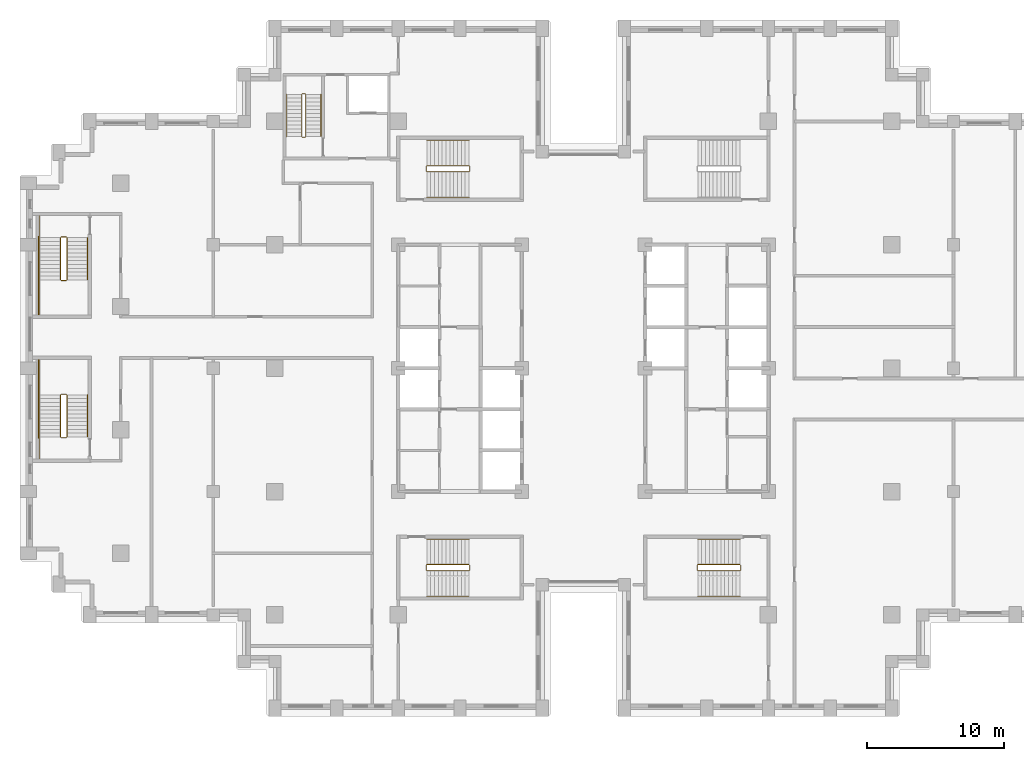
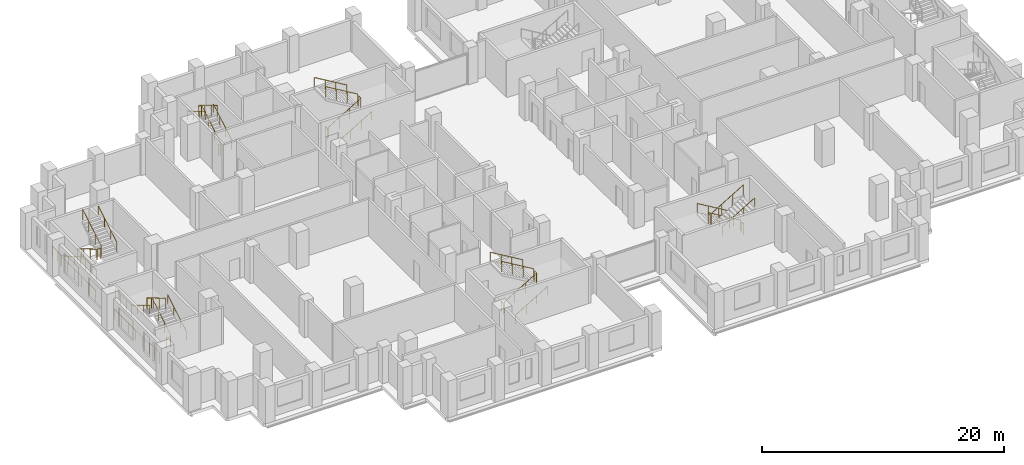
# One storey, part 14 of 15: 6 railings.
"""IFC4 building model written with IfcOpenShell, lengths in metres."""

from ifc_helpers import new_model, si_unit, direction, frame, origin, origin_2d, place, context, subcontext, project, spatial, circle, extrude, material, type_object, element, save


model = new_model("IFC4")

# Units and contexts
model_context = context("Model", 3, precision=1e-05, world=origin(), true_north=direction((0.0, 1.0)))
body_context = subcontext(model_context, "Body", "Model", "MODEL_VIEW")
ifc_project = project(units=[si_unit("LENGTHUNIT", "METRE"), si_unit("AREAUNIT", "SQUARE_METRE"), si_unit("VOLUMEUNIT", "CUBIC_METRE"), si_unit("PLANEANGLEUNIT", "RADIAN"), si_unit("MASSUNIT", "GRAM", prefix="KILO")], contexts=[model_context])

# Site, building, storey
site_placement = place(None, origin())
site = spatial("IfcSite", under=ifc_project, at=site_placement, CompositionType="ELEMENT")
building_placement = place(site_placement, origin())
building = spatial("IfcBuilding", under=site, at=building_placement, Name="Corbelhall Arena Tower", CompositionType="ELEMENT")
storey_placement = place(building_placement, frame((0.0, 0.0, 88.0)))
storey = spatial("IfcBuildingStorey", under=building, at=storey_placement, Name="L14", CompositionType="ELEMENT", Elevation=88.0)

# Railings
ifc_material = material(Name="Steel ASTM A500 Gr C", Category="steel")
railing_type = type_object("IfcRailingType", Name="IN-GD-1100", PredefinedType="GUARDRAIL", material=ifc_material)
railing_1_placement = place(storey_placement, frame((-11.425048828125, 14.324951171875, 0.166748046875)))
element("IfcRailing", 1, at=railing_1_placement, inside=storey, type_object=railing_type, Name="L14 ST1 stair guards and handrails", PredefinedType="GUARDRAIL", context=body_context, shape_type="SweptSolid", body=[
    extrude(circle(Radius=0.02392578125, at=origin_2d()), frame((0.0, 0.0, 1.076171875), z_axis=(0.859308565015, 0.0, 0.511457515432), x_axis=(0.0, 1.0, 0.0)), (0.0, 0.0, 1.0), 3.58447265625),
    extrude(circle(Radius=0.02392578125, at=origin_2d()), frame((3.130126953125, 0.050048828125, 2.9091796875), z_axis=(0.0, 1.0, 0.0), x_axis=(-1.0, 0.0, 0.0)), (0.0, 0.0, 1.0), 0.35009765625),
    extrude(circle(Radius=0.02392578125, at=origin_2d()), frame((3.080078125, 0.449951171875, 3.076171875), z_axis=(-0.859308565015, 0.0, 0.511457515432), x_axis=(0.0, -1.0, 0.0)), (0.0, 0.0, 1.0), 3.58447265625),
    extrude(circle(Radius=0.02392578125, at=origin_2d()), frame((-0.050048828125, 0.050048828125, 0.9091796875), z_axis=(0.0, 1.0, 0.0), x_axis=(-1.0, 0.0, 0.0)), (0.0, 0.0, 1.0), 0.35009765625),
    extrude(circle(Radius=0.02392578125, at=origin_2d()), frame((0.0, -1.849853515625, 0.8759765625), z_axis=(0.859308565015, 0.0, 0.511457515432), x_axis=(0.0, 1.0, 0.0)), (0.0, 0.0, 1.0), 3.58447265625),
    extrude(circle(Radius=0.02392578125, at=origin_2d()), frame((3.080078125, 2.300048828125, 2.8759765625), z_axis=(-0.859308565015, 0.0, 0.511457515432), x_axis=(0.0, -1.0, 0.0)), (0.0, 0.0, 1.0), 3.58447265625),
    extrude(circle(Radius=0.02099609375, at=origin_2d()), origin(), (0.0, 0.0, 1.0), 1.052001953125),
    extrude(circle(Radius=0.02099609375, at=origin_2d()), frame((1.026611328125, 0.0, 0.611083984375)), (0.0, 0.0, 1.0), 1.052001953125),
    extrude(circle(Radius=0.02099609375, at=origin_2d()), frame((2.053466796875, 0.0, 1.22216796875)), (0.0, 0.0, 1.0), 1.052001953125),
    extrude(circle(Radius=0.02099609375, at=origin_2d()), frame((3.080078125, 0.0, 1.833251953125)), (0.0, 0.0, 1.0), 1.052001953125),
    extrude(circle(Radius=0.02099609375, at=origin_2d()), frame((3.130126953125, 0.050048828125, 1.833251953125)), (0.0, 0.0, 1.0), 1.052001953125),
    extrude(circle(Radius=0.02099609375, at=origin_2d()), frame((3.130126953125, 0.400146484375, 1.833251953125)), (0.0, 0.0, 1.0), 1.052001953125),
    extrude(circle(Radius=0.02099609375, at=origin_2d()), frame((3.080078125, 0.449951171875, 2.0)), (0.0, 0.0, 1.0), 1.052001953125),
    extrude(circle(Radius=0.02099609375, at=origin_2d()), frame((2.053466796875, 0.449951171875, 2.611083984375)), (0.0, 0.0, 1.0), 1.052001953125),
    extrude(circle(Radius=0.02099609375, at=origin_2d()), frame((1.026611328125, 0.449951171875, 3.22216796875)), (0.0, 0.0, 1.0), 1.052001953125),
    extrude(circle(Radius=0.02099609375, at=origin_2d()), frame((0.0, 0.449951171875, 3.833251953125)), (0.0, 0.0, 1.0), 1.052001953125),
    extrude(circle(Radius=0.02099609375, at=origin_2d()), frame((-0.050048828125, 0.050048828125, -0.166748046875)), (0.0, 0.0, 1.0), 1.052001953125),
    extrude(circle(Radius=0.02099609375, at=origin_2d()), frame((-0.050048828125, 0.400146484375, -0.166748046875)), (0.0, 0.0, 1.0), 1.052001953125),
    extrude(circle(Radius=0.02099609375, at=origin_2d()), frame((0.0, -1.849853515625, 0.0)), (0.0, 0.0, 1.0), 0.851806640625),
    extrude(circle(Radius=0.02099609375, at=origin_2d()), frame((1.026611328125, -1.849853515625, 0.611083984375)), (0.0, 0.0, 1.0), 0.851806640625),
    extrude(circle(Radius=0.02099609375, at=origin_2d()), frame((2.053466796875, -1.849853515625, 1.22216796875)), (0.0, 0.0, 1.0), 0.851806640625),
    extrude(circle(Radius=0.02099609375, at=origin_2d()), frame((3.080078125, -1.849853515625, 1.833251953125)), (0.0, 0.0, 1.0), 0.851806640625),
    extrude(circle(Radius=0.02099609375, at=origin_2d()), frame((3.080078125, 2.300048828125, 2.0)), (0.0, 0.0, 1.0), 0.851806640625),
    extrude(circle(Radius=0.02099609375, at=origin_2d()), frame((2.053466796875, 2.300048828125, 2.611083984375)), (0.0, 0.0, 1.0), 0.851806640625),
    extrude(circle(Radius=0.02099609375, at=origin_2d()), frame((1.026611328125, 2.300048828125, 3.22216796875)), (0.0, 0.0, 1.0), 0.851806640625),
    extrude(circle(Radius=0.02099609375, at=origin_2d()), frame((0.0, 2.300048828125, 3.833251953125)), (0.0, 0.0, 1.0), 0.851806640625),
])
railing_2_placement = place(storey_placement, frame((-11.425048828125, -14.77490234375, 0.166748046875)))
element("IfcRailing", 2, at=railing_2_placement, inside=storey, type_object=railing_type, Name="L14 ST2 stair guards and handrails", PredefinedType="GUARDRAIL", context=body_context, shape_type="SweptSolid", body=[
    extrude(circle(Radius=0.02392578125, at=origin_2d()), frame((0.0, 0.0, 1.076171875), z_axis=(0.859308565015, 0.0, 0.511457515432), x_axis=(0.0, 1.0, 0.0)), (0.0, 0.0, 1.0), 3.58447265625),
    extrude(circle(Radius=0.02392578125, at=origin_2d()), frame((3.130126953125, 0.0498046875, 2.9091796875), z_axis=(0.0, 1.0, 0.0), x_axis=(-1.0, 0.0, 0.0)), (0.0, 0.0, 1.0), 0.35009765625),
    extrude(circle(Radius=0.02392578125, at=origin_2d()), frame((3.080078125, 0.449951171875, 3.076171875), z_axis=(-0.859308565015, 0.0, 0.511457515432), x_axis=(0.0, -1.0, 0.0)), (0.0, 0.0, 1.0), 3.58447265625),
    extrude(circle(Radius=0.02392578125, at=origin_2d()), frame((-0.050048828125, 0.0498046875, 0.9091796875), z_axis=(0.0, 1.0, 0.0), x_axis=(-1.0, 0.0, 0.0)), (0.0, 0.0, 1.0), 0.35009765625),
    extrude(circle(Radius=0.02392578125, at=origin_2d()), frame((0.0, -1.85009765625, 0.8759765625), z_axis=(0.859308565015, 0.0, 0.511457515432), x_axis=(0.0, 1.0, 0.0)), (0.0, 0.0, 1.0), 3.58447265625),
    extrude(circle(Radius=0.02392578125, at=origin_2d()), frame((3.080078125, 2.2998046875, 2.8759765625), z_axis=(-0.859308565015, 0.0, 0.511457515432), x_axis=(0.0, -1.0, 0.0)), (0.0, 0.0, 1.0), 3.58447265625),
    extrude(circle(Radius=0.02099609375, at=origin_2d()), origin(), (0.0, 0.0, 1.0), 1.052001953125),
    extrude(circle(Radius=0.02099609375, at=origin_2d()), frame((1.026611328125, 0.0, 0.611083984375)), (0.0, 0.0, 1.0), 1.052001953125),
    extrude(circle(Radius=0.02099609375, at=origin_2d()), frame((2.053466796875, 0.0, 1.22216796875)), (0.0, 0.0, 1.0), 1.052001953125),
    extrude(circle(Radius=0.02099609375, at=origin_2d()), frame((3.080078125, 0.0, 1.833251953125)), (0.0, 0.0, 1.0), 1.052001953125),
    extrude(circle(Radius=0.02099609375, at=origin_2d()), frame((3.130126953125, 0.0498046875, 1.833251953125)), (0.0, 0.0, 1.0), 1.052001953125),
    extrude(circle(Radius=0.02099609375, at=origin_2d()), frame((3.130126953125, 0.39990234375, 1.833251953125)), (0.0, 0.0, 1.0), 1.052001953125),
    extrude(circle(Radius=0.02099609375, at=origin_2d()), frame((3.080078125, 0.449951171875, 2.0)), (0.0, 0.0, 1.0), 1.052001953125),
    extrude(circle(Radius=0.02099609375, at=origin_2d()), frame((2.053466796875, 0.449951171875, 2.611083984375)), (0.0, 0.0, 1.0), 1.052001953125),
    extrude(circle(Radius=0.02099609375, at=origin_2d()), frame((1.026611328125, 0.449951171875, 3.22216796875)), (0.0, 0.0, 1.0), 1.052001953125),
    extrude(circle(Radius=0.02099609375, at=origin_2d()), frame((0.0, 0.449951171875, 3.833251953125)), (0.0, 0.0, 1.0), 1.052001953125),
    extrude(circle(Radius=0.02099609375, at=origin_2d()), frame((-0.050048828125, 0.0498046875, -0.166748046875)), (0.0, 0.0, 1.0), 1.052001953125),
    extrude(circle(Radius=0.02099609375, at=origin_2d()), frame((-0.050048828125, 0.39990234375, -0.166748046875)), (0.0, 0.0, 1.0), 1.052001953125),
    extrude(circle(Radius=0.02099609375, at=origin_2d()), frame((0.0, -1.85009765625, 0.0)), (0.0, 0.0, 1.0), 0.851806640625),
    extrude(circle(Radius=0.02099609375, at=origin_2d()), frame((1.026611328125, -1.85009765625, 0.611083984375)), (0.0, 0.0, 1.0), 0.851806640625),
    extrude(circle(Radius=0.02099609375, at=origin_2d()), frame((2.053466796875, -1.85009765625, 1.22216796875)), (0.0, 0.0, 1.0), 0.851806640625),
    extrude(circle(Radius=0.02099609375, at=origin_2d()), frame((3.080078125, -1.85009765625, 1.833251953125)), (0.0, 0.0, 1.0), 0.851806640625),
    extrude(circle(Radius=0.02099609375, at=origin_2d()), frame((3.080078125, 2.2998046875, 2.0)), (0.0, 0.0, 1.0), 0.851806640625),
    extrude(circle(Radius=0.02099609375, at=origin_2d()), frame((2.053466796875, 2.2998046875, 2.611083984375)), (0.0, 0.0, 1.0), 0.851806640625),
    extrude(circle(Radius=0.02099609375, at=origin_2d()), frame((1.026611328125, 2.2998046875, 3.22216796875)), (0.0, 0.0, 1.0), 0.851806640625),
    extrude(circle(Radius=0.02099609375, at=origin_2d()), frame((0.0, 2.2998046875, 3.833251953125)), (0.0, 0.0, 1.0), 0.851806640625),
])
railing_3_placement = place(storey_placement, frame((11.425048828125, -14.324951171875, 0.166748046875)))
element("IfcRailing", 3, at=railing_3_placement, inside=storey, type_object=railing_type, Name="L14 ST4 stair guards and handrails", PredefinedType="GUARDRAIL", context=body_context, shape_type="SweptSolid", body=[
    extrude(circle(Radius=0.02392578125, at=origin_2d()), frame((0.0, 0.0, 1.076171875), z_axis=(-0.859308565015, 0.0, 0.511457515432), x_axis=(0.0, -1.0, 0.0)), (0.0, 0.0, 1.0), 3.58447265625),
    extrude(circle(Radius=0.02392578125, at=origin_2d()), frame((-3.130126953125, -0.050048828125, 2.9091796875), z_axis=(0.0, -1.0, 0.0), x_axis=(1.0, 0.0, 0.0)), (0.0, 0.0, 1.0), 0.35009765625),
    extrude(circle(Radius=0.02392578125, at=origin_2d()), frame((-3.080078125, -0.449951171875, 3.076171875), z_axis=(0.859308565015, 0.0, 0.511457515432), x_axis=(0.0, 1.0, 0.0)), (0.0, 0.0, 1.0), 3.58447265625),
    extrude(circle(Radius=0.02392578125, at=origin_2d()), frame((0.050048828125, -0.050048828125, 0.9091796875), z_axis=(0.0, -1.0, 0.0), x_axis=(1.0, 0.0, 0.0)), (0.0, 0.0, 1.0), 0.35009765625),
    extrude(circle(Radius=0.02392578125, at=origin_2d()), frame((0.0, 1.849853515625, 0.8759765625), z_axis=(-0.859308565015, 0.0, 0.511457515432), x_axis=(0.0, -1.0, 0.0)), (0.0, 0.0, 1.0), 3.58447265625),
    extrude(circle(Radius=0.02392578125, at=origin_2d()), frame((-3.080078125, -2.300048828125, 2.8759765625), z_axis=(0.859308565015, 0.0, 0.511457515432), x_axis=(0.0, 1.0, 0.0)), (0.0, 0.0, 1.0), 3.58447265625),
    extrude(circle(Radius=0.02099609375, at=origin_2d()), origin(), (0.0, 0.0, 1.0), 1.052001953125),
    extrude(circle(Radius=0.02099609375, at=origin_2d()), frame((-1.026611328125, 0.0, 0.611083984375)), (0.0, 0.0, 1.0), 1.052001953125),
    extrude(circle(Radius=0.02099609375, at=origin_2d()), frame((-2.053466796875, 0.0, 1.22216796875)), (0.0, 0.0, 1.0), 1.052001953125),
    extrude(circle(Radius=0.02099609375, at=origin_2d()), frame((-3.080078125, 0.0, 1.833251953125)), (0.0, 0.0, 1.0), 1.052001953125),
    extrude(circle(Radius=0.02099609375, at=origin_2d()), frame((-3.130126953125, -0.050048828125, 1.833251953125)), (0.0, 0.0, 1.0), 1.052001953125),
    extrude(circle(Radius=0.02099609375, at=origin_2d()), frame((-3.130126953125, -0.400146484375, 1.833251953125)), (0.0, 0.0, 1.0), 1.052001953125),
    extrude(circle(Radius=0.02099609375, at=origin_2d()), frame((-3.080078125, -0.449951171875, 2.0)), (0.0, 0.0, 1.0), 1.052001953125),
    extrude(circle(Radius=0.02099609375, at=origin_2d()), frame((-2.053466796875, -0.449951171875, 2.611083984375)), (0.0, 0.0, 1.0), 1.052001953125),
    extrude(circle(Radius=0.02099609375, at=origin_2d()), frame((-1.026611328125, -0.449951171875, 3.22216796875)), (0.0, 0.0, 1.0), 1.052001953125),
    extrude(circle(Radius=0.02099609375, at=origin_2d()), frame((0.0, -0.449951171875, 3.833251953125)), (0.0, 0.0, 1.0), 1.052001953125),
    extrude(circle(Radius=0.02099609375, at=origin_2d()), frame((0.050048828125, -0.050048828125, -0.166748046875)), (0.0, 0.0, 1.0), 1.052001953125),
    extrude(circle(Radius=0.02099609375, at=origin_2d()), frame((0.050048828125, -0.400146484375, -0.166748046875)), (0.0, 0.0, 1.0), 1.052001953125),
    extrude(circle(Radius=0.02099609375, at=origin_2d()), frame((0.0, 1.849853515625, 0.0)), (0.0, 0.0, 1.0), 0.851806640625),
    extrude(circle(Radius=0.02099609375, at=origin_2d()), frame((-1.026611328125, 1.849853515625, 0.611083984375)), (0.0, 0.0, 1.0), 0.851806640625),
    extrude(circle(Radius=0.02099609375, at=origin_2d()), frame((-2.053466796875, 1.849853515625, 1.22216796875)), (0.0, 0.0, 1.0), 0.851806640625),
    extrude(circle(Radius=0.02099609375, at=origin_2d()), frame((-3.080078125, 1.849853515625, 1.833251953125)), (0.0, 0.0, 1.0), 0.851806640625),
    extrude(circle(Radius=0.02099609375, at=origin_2d()), frame((-3.080078125, -2.300048828125, 2.0)), (0.0, 0.0, 1.0), 0.851806640625),
    extrude(circle(Radius=0.02099609375, at=origin_2d()), frame((-2.053466796875, -2.300048828125, 2.611083984375)), (0.0, 0.0, 1.0), 0.851806640625),
    extrude(circle(Radius=0.02099609375, at=origin_2d()), frame((-1.026611328125, -2.300048828125, 3.22216796875)), (0.0, 0.0, 1.0), 0.851806640625),
    extrude(circle(Radius=0.02099609375, at=origin_2d()), frame((0.0, -2.300048828125, 3.833251953125)), (0.0, 0.0, 1.0), 0.851806640625),
])
railing_4_placement = place(storey_placement, frame((-38.14990234375, 9.52490234375, 0.166748046875)))
element("IfcRailing", 4, at=railing_4_placement, inside=storey, type_object=railing_type, Name="L14 SC1 stair guards and handrails", PredefinedType="GUARDRAIL", context=body_context, shape_type="SweptSolid", body=[
    extrude(circle(Radius=0.02392578125, at=origin_2d()), frame((0.0, 0.0, 1.076171875), z_axis=(0.0, -0.859290745958, 0.51148745235), x_axis=(1.0, 0.0, 0.0)), (0.0, 0.0, 1.0), 3.584228515625),
    extrude(circle(Radius=0.02392578125, at=origin_2d()), frame((0.0498046875, -3.1298828125, 2.9091796875), z_axis=(1.0, 0.0, 0.0), x_axis=(0.0, 1.0, 0.0)), (0.0, 0.0, 1.0), 0.375),
    extrude(circle(Radius=0.02392578125, at=origin_2d()), frame((-1.5, -3.079833984375, 2.9091796875), z_axis=(0.0, -1.0, 0.0), x_axis=(1.0, 0.0, 0.0)), (0.0, 0.0, 1.0), 2.570068359375),
    extrude(circle(Radius=0.02392578125, at=origin_2d()), frame((0.474853515625, -3.079833984375, 3.076171875), z_axis=(0.0, 0.859290745958, 0.51148745235), x_axis=(-1.0, 0.0, 0.0)), (0.0, 0.0, 1.0), 3.584228515625),
    extrude(circle(Radius=0.02392578125, at=origin_2d()), frame((0.0498046875, 0.050048828125, 0.9091796875), z_axis=(1.0, 0.0, 0.0), x_axis=(0.0, 1.0, 0.0)), (0.0, 0.0, 1.0), 0.375),
    extrude(circle(Radius=0.02392578125, at=origin_2d()), frame((-1.5, 1.60009765625, 0.9091796875), z_axis=(0.0, -1.0, 0.0), x_axis=(1.0, 0.0, 0.0)), (0.0, 0.0, 1.0), 1.60009765625),
    extrude(circle(Radius=0.02392578125, at=origin_2d()), frame((-1.60009765625, 0.10009765625, 0.9091796875), z_axis=(0.0, -1.0, 0.0), x_axis=(1.0, 0.0, 0.0)), (0.0, 0.0, 1.0), 5.85009765625),
    extrude(circle(Radius=0.02392578125, at=origin_2d()), frame((-1.5, 0.0, 0.8759765625), z_axis=(0.0, -0.859290745958, 0.51148745235), x_axis=(1.0, 0.0, 0.0)), (0.0, 0.0, 1.0), 3.584228515625),
    extrude(circle(Radius=0.02392578125, at=origin_2d()), frame((1.974853515625, -3.079833984375, 2.8759765625), z_axis=(0.0, 0.859290745958, 0.51148745235), x_axis=(-1.0, 0.0, 0.0)), (0.0, 0.0, 1.0), 3.584228515625),
    extrude(circle(Radius=0.02099609375, at=origin_2d()), origin(), (0.0, 0.0, 1.0), 1.052001953125),
    extrude(circle(Radius=0.02099609375, at=origin_2d()), frame((0.0, -1.026611328125, 0.611083984375)), (0.0, 0.0, 1.0), 1.052001953125),
    extrude(circle(Radius=0.02099609375, at=origin_2d()), frame((0.0, -2.05322265625, 1.22216796875)), (0.0, 0.0, 1.0), 1.052001953125),
    extrude(circle(Radius=0.02099609375, at=origin_2d()), frame((0.0, -3.079833984375, 1.833251953125)), (0.0, 0.0, 1.0), 1.052001953125),
    extrude(circle(Radius=0.02099609375, at=origin_2d()), frame((0.0498046875, -3.1298828125, 1.833251953125)), (0.0, 0.0, 1.0), 1.052001953125),
    extrude(circle(Radius=0.02099609375, at=origin_2d()), frame((0.4248046875, -3.1298828125, 1.833251953125)), (0.0, 0.0, 1.0), 1.052001953125),
    extrude(circle(Radius=0.02099609375, at=origin_2d()), frame((-1.5, -3.079833984375, 1.833251953125)), (0.0, 0.0, 1.0), 1.052001953125),
    extrude(circle(Radius=0.02099609375, at=origin_2d()), frame((-1.5, -3.9365234375, 1.833251953125)), (0.0, 0.0, 1.0), 1.052001953125),
    extrude(circle(Radius=0.02099609375, at=origin_2d()), frame((-1.5, -4.793212890625, 1.833251953125)), (0.0, 0.0, 1.0), 1.052001953125),
    extrude(circle(Radius=0.02099609375, at=origin_2d()), frame((-1.5, -5.64990234375, 1.833251953125)), (0.0, 0.0, 1.0), 1.052001953125),
    extrude(circle(Radius=0.02099609375, at=origin_2d()), frame((0.474853515625, -3.079833984375, 2.0)), (0.0, 0.0, 1.0), 1.052001953125),
    extrude(circle(Radius=0.02099609375, at=origin_2d()), frame((0.474853515625, -2.05322265625, 2.611083984375)), (0.0, 0.0, 1.0), 1.052001953125),
    extrude(circle(Radius=0.02099609375, at=origin_2d()), frame((0.474853515625, -1.026611328125, 3.22216796875)), (0.0, 0.0, 1.0), 1.052001953125),
    extrude(circle(Radius=0.02099609375, at=origin_2d()), frame((0.474853515625, 0.0, 3.833251953125)), (0.0, 0.0, 1.0), 1.052001953125),
    extrude(circle(Radius=0.02099609375, at=origin_2d()), frame((0.0498046875, 0.050048828125, -0.166748046875)), (0.0, 0.0, 1.0), 1.052001953125),
    extrude(circle(Radius=0.02099609375, at=origin_2d()), frame((0.4248046875, 0.050048828125, -0.166748046875)), (0.0, 0.0, 1.0), 1.052001953125),
    extrude(circle(Radius=0.02099609375, at=origin_2d()), frame((-1.5, 1.60009765625, -0.166748046875)), (0.0, 0.0, 1.0), 1.052001953125),
    extrude(circle(Radius=0.02099609375, at=origin_2d()), frame((-1.5, 0.800048828125, -0.166748046875)), (0.0, 0.0, 1.0), 1.052001953125),
    extrude(circle(Radius=0.02099609375, at=origin_2d()), frame((-1.5, 0.0, -0.166748046875)), (0.0, 0.0, 1.0), 1.052001953125),
    extrude(circle(Radius=0.02099609375, at=origin_2d()), frame((-1.60009765625, 0.10009765625, -0.166748046875)), (0.0, 0.0, 1.0), 1.052001953125),
    extrude(circle(Radius=0.02099609375, at=origin_2d()), frame((-1.60009765625, -1.06982421875, -0.166748046875)), (0.0, 0.0, 1.0), 1.052001953125),
    extrude(circle(Radius=0.02099609375, at=origin_2d()), frame((-1.60009765625, -2.239990234375, -0.166748046875)), (0.0, 0.0, 1.0), 1.052001953125),
    extrude(circle(Radius=0.02099609375, at=origin_2d()), frame((-1.60009765625, -3.409912109375, -0.166748046875)), (0.0, 0.0, 1.0), 1.052001953125),
    extrude(circle(Radius=0.02099609375, at=origin_2d()), frame((-1.60009765625, -4.580078125, -0.166748046875)), (0.0, 0.0, 1.0), 1.052001953125),
    extrude(circle(Radius=0.02099609375, at=origin_2d()), frame((-1.60009765625, -5.75, -0.166748046875)), (0.0, 0.0, 1.0), 1.052001953125),
    extrude(circle(Radius=0.02099609375, at=origin_2d()), frame((-1.5, 0.0, 0.0)), (0.0, 0.0, 1.0), 0.851806640625),
    extrude(circle(Radius=0.02099609375, at=origin_2d()), frame((-1.5, -1.026611328125, 0.611083984375)), (0.0, 0.0, 1.0), 0.851806640625),
    extrude(circle(Radius=0.02099609375, at=origin_2d()), frame((-1.5, -2.05322265625, 1.22216796875)), (0.0, 0.0, 1.0), 0.851806640625),
    extrude(circle(Radius=0.02099609375, at=origin_2d()), frame((1.974853515625, -3.079833984375, 2.0)), (0.0, 0.0, 1.0), 0.851806640625),
    extrude(circle(Radius=0.02099609375, at=origin_2d()), frame((1.974853515625, -2.05322265625, 2.611083984375)), (0.0, 0.0, 1.0), 0.851806640625),
    extrude(circle(Radius=0.02099609375, at=origin_2d()), frame((1.974853515625, -1.026611328125, 3.22216796875)), (0.0, 0.0, 1.0), 0.851806640625),
    extrude(circle(Radius=0.02099609375, at=origin_2d()), frame((1.974853515625, 0.0, 3.833251953125)), (0.0, 0.0, 1.0), 0.851806640625),
])
railing_5_placement = place(storey_placement, frame((-37.675048828125, -5.02490234375, 0.166748046875)))
element("IfcRailing", 5, at=railing_5_placement, inside=storey, type_object=railing_type, Name="L14 SC2 stair guards and handrails", PredefinedType="GUARDRAIL", context=body_context, shape_type="SweptSolid", body=[
    extrude(circle(Radius=0.02392578125, at=origin_2d()), frame((0.0, 0.0, 1.076171875), z_axis=(0.0, 0.859290745958, 0.51148745235), x_axis=(-1.0, 0.0, 0.0)), (0.0, 0.0, 1.0), 3.584228515625),
    extrude(circle(Radius=0.02392578125, at=origin_2d()), frame((-0.050048828125, 3.1298828125, 2.9091796875), z_axis=(-1.0, 0.0, 0.0), x_axis=(0.0, -1.0, 0.0)), (0.0, 0.0, 1.0), 0.375),
    extrude(circle(Radius=0.02392578125, at=origin_2d()), frame((-1.974853515625, 3.079833984375, 2.9091796875), z_axis=(0.0, 1.0, 0.0), x_axis=(-1.0, 0.0, 0.0)), (0.0, 0.0, 1.0), 2.570068359375),
    extrude(circle(Radius=0.02392578125, at=origin_2d()), frame((-0.474853515625, 3.079833984375, 3.076171875), z_axis=(0.0, -0.859290745958, 0.51148745235), x_axis=(1.0, 0.0, 0.0)), (0.0, 0.0, 1.0), 3.584228515625),
    extrude(circle(Radius=0.02392578125, at=origin_2d()), frame((-0.050048828125, -0.050048828125, 0.9091796875), z_axis=(-1.0, 0.0, 0.0), x_axis=(0.0, -1.0, 0.0)), (0.0, 0.0, 1.0), 0.375),
    extrude(circle(Radius=0.02392578125, at=origin_2d()), frame((-1.974853515625, -1.60009765625, 0.9091796875), z_axis=(0.0, 1.0, 0.0), x_axis=(-1.0, 0.0, 0.0)), (0.0, 0.0, 1.0), 1.60009765625),
    extrude(circle(Radius=0.02392578125, at=origin_2d()), frame((-2.074951171875, -0.10009765625, 0.9091796875), z_axis=(0.0, 1.0, 0.0), x_axis=(-1.0, 0.0, 0.0)), (0.0, 0.0, 1.0), 5.85009765625),
    extrude(circle(Radius=0.02392578125, at=origin_2d()), frame((1.5, 0.0, 0.8759765625), z_axis=(0.0, 0.859290745958, 0.51148745235), x_axis=(-1.0, 0.0, 0.0)), (0.0, 0.0, 1.0), 3.584228515625),
    extrude(circle(Radius=0.02392578125, at=origin_2d()), frame((-1.974853515625, 3.079833984375, 2.8759765625), z_axis=(0.0, -0.859290745958, 0.51148745235), x_axis=(1.0, 0.0, 0.0)), (0.0, 0.0, 1.0), 3.584228515625),
    extrude(circle(Radius=0.02099609375, at=origin_2d()), origin(), (0.0, 0.0, 1.0), 1.052001953125),
    extrude(circle(Radius=0.02099609375, at=origin_2d()), frame((0.0, 1.026611328125, 0.611083984375)), (0.0, 0.0, 1.0), 1.052001953125),
    extrude(circle(Radius=0.02099609375, at=origin_2d()), frame((0.0, 2.05322265625, 1.22216796875)), (0.0, 0.0, 1.0), 1.052001953125),
    extrude(circle(Radius=0.02099609375, at=origin_2d()), frame((0.0, 3.079833984375, 1.833251953125)), (0.0, 0.0, 1.0), 1.052001953125),
    extrude(circle(Radius=0.02099609375, at=origin_2d()), frame((-0.050048828125, 3.1298828125, 1.833251953125)), (0.0, 0.0, 1.0), 1.052001953125),
    extrude(circle(Radius=0.02099609375, at=origin_2d()), frame((-0.425048828125, 3.1298828125, 1.833251953125)), (0.0, 0.0, 1.0), 1.052001953125),
    extrude(circle(Radius=0.02099609375, at=origin_2d()), frame((-1.974853515625, 3.079833984375, 1.833251953125)), (0.0, 0.0, 1.0), 1.052001953125),
    extrude(circle(Radius=0.02099609375, at=origin_2d()), frame((-1.974853515625, 3.9365234375, 1.833251953125)), (0.0, 0.0, 1.0), 1.052001953125),
    extrude(circle(Radius=0.02099609375, at=origin_2d()), frame((-1.974853515625, 4.793212890625, 1.833251953125)), (0.0, 0.0, 1.0), 1.052001953125),
    extrude(circle(Radius=0.02099609375, at=origin_2d()), frame((-1.974853515625, 5.64990234375, 1.833251953125)), (0.0, 0.0, 1.0), 1.052001953125),
    extrude(circle(Radius=0.02099609375, at=origin_2d()), frame((-0.474853515625, 3.079833984375, 2.0)), (0.0, 0.0, 1.0), 1.052001953125),
    extrude(circle(Radius=0.02099609375, at=origin_2d()), frame((-0.474853515625, 2.05322265625, 2.611083984375)), (0.0, 0.0, 1.0), 1.052001953125),
    extrude(circle(Radius=0.02099609375, at=origin_2d()), frame((-0.474853515625, 1.026611328125, 3.22216796875)), (0.0, 0.0, 1.0), 1.052001953125),
    extrude(circle(Radius=0.02099609375, at=origin_2d()), frame((-0.474853515625, 0.0, 3.833251953125)), (0.0, 0.0, 1.0), 1.052001953125),
    extrude(circle(Radius=0.02099609375, at=origin_2d()), frame((-0.050048828125, -0.050048828125, -0.166748046875)), (0.0, 0.0, 1.0), 1.052001953125),
    extrude(circle(Radius=0.02099609375, at=origin_2d()), frame((-0.425048828125, -0.050048828125, -0.166748046875)), (0.0, 0.0, 1.0), 1.052001953125),
    extrude(circle(Radius=0.02099609375, at=origin_2d()), frame((-1.974853515625, -1.60009765625, -0.166748046875)), (0.0, 0.0, 1.0), 1.052001953125),
    extrude(circle(Radius=0.02099609375, at=origin_2d()), frame((-1.974853515625, -0.800048828125, -0.166748046875)), (0.0, 0.0, 1.0), 1.052001953125),
    extrude(circle(Radius=0.02099609375, at=origin_2d()), frame((-1.974853515625, 0.0, -0.166748046875)), (0.0, 0.0, 1.0), 1.052001953125),
    extrude(circle(Radius=0.02099609375, at=origin_2d()), frame((-2.074951171875, -0.10009765625, -0.166748046875)), (0.0, 0.0, 1.0), 1.052001953125),
    extrude(circle(Radius=0.02099609375, at=origin_2d()), frame((-2.074951171875, 1.06982421875, -0.166748046875)), (0.0, 0.0, 1.0), 1.052001953125),
    extrude(circle(Radius=0.02099609375, at=origin_2d()), frame((-2.074951171875, 2.239990234375, -0.166748046875)), (0.0, 0.0, 1.0), 1.052001953125),
    extrude(circle(Radius=0.02099609375, at=origin_2d()), frame((-2.074951171875, 3.409912109375, -0.166748046875)), (0.0, 0.0, 1.0), 1.052001953125),
    extrude(circle(Radius=0.02099609375, at=origin_2d()), frame((-2.074951171875, 4.580078125, -0.166748046875)), (0.0, 0.0, 1.0), 1.052001953125),
    extrude(circle(Radius=0.02099609375, at=origin_2d()), frame((-2.074951171875, 5.75, -0.166748046875)), (0.0, 0.0, 1.0), 1.052001953125),
    extrude(circle(Radius=0.02099609375, at=origin_2d()), frame((1.5, 0.0, 0.0)), (0.0, 0.0, 1.0), 0.851806640625),
    extrude(circle(Radius=0.02099609375, at=origin_2d()), frame((1.5, 1.026611328125, 0.611083984375)), (0.0, 0.0, 1.0), 0.851806640625),
    extrude(circle(Radius=0.02099609375, at=origin_2d()), frame((1.5, 2.05322265625, 1.22216796875)), (0.0, 0.0, 1.0), 0.851806640625),
    extrude(circle(Radius=0.02099609375, at=origin_2d()), frame((1.5, 3.079833984375, 1.833251953125)), (0.0, 0.0, 1.0), 0.851806640625),
    extrude(circle(Radius=0.02099609375, at=origin_2d()), frame((-1.974853515625, 3.079833984375, 2.0)), (0.0, 0.0, 1.0), 0.851806640625),
    extrude(circle(Radius=0.02099609375, at=origin_2d()), frame((-1.974853515625, 2.05322265625, 2.611083984375)), (0.0, 0.0, 1.0), 0.851806640625),
    extrude(circle(Radius=0.02099609375, at=origin_2d()), frame((-1.974853515625, 1.026611328125, 3.22216796875)), (0.0, 0.0, 1.0), 0.851806640625),
    extrude(circle(Radius=0.02099609375, at=origin_2d()), frame((-1.974853515625, 0.0, 3.833251953125)), (0.0, 0.0, 1.0), 0.851806640625),
])
railing_6_placement = place(storey_placement, frame((-20.2451171875, 16.89990234375, 0.166748046875)))
element("IfcRailing", 6, at=railing_6_placement, inside=storey, type_object=railing_type, Name="L14 ST5 stair guards and handrails", PredefinedType="GUARDRAIL", context=body_context, shape_type="SweptSolid", body=[
    extrude(circle(Radius=0.02392578125, at=origin_2d()), frame((0.0, 0.0, 1.076171875), z_axis=(0.0, 0.859308565015, 0.511457515432), x_axis=(-1.0, 0.0, 0.0)), (0.0, 0.0, 1.0), 3.58447265625),
    extrude(circle(Radius=0.02392578125, at=origin_2d()), frame((-0.0498046875, 3.130126953125, 2.9091796875), z_axis=(-1.0, 0.0, 0.0), x_axis=(0.0, -1.0, 0.0)), (0.0, 0.0, 1.0), 0.2001953125),
    extrude(circle(Radius=0.02392578125, at=origin_2d()), frame((-0.2998046875, 3.080078125, 3.076171875), z_axis=(0.0, -0.859308565015, 0.511457515432), x_axis=(1.0, 0.0, 0.0)), (0.0, 0.0, 1.0), 3.58447265625),
    extrude(circle(Radius=0.02392578125, at=origin_2d()), frame((-0.0498046875, -0.0498046875, 0.9091796875), z_axis=(-1.0, 0.0, 0.0), x_axis=(0.0, -1.0, 0.0)), (0.0, 0.0, 1.0), 0.2001953125),
    extrude(circle(Radius=0.02392578125, at=origin_2d()), frame((1.10009765625, 0.0, 0.8759765625), z_axis=(0.0, 0.859308565015, 0.511457515432), x_axis=(-1.0, 0.0, 0.0)), (0.0, 0.0, 1.0), 3.58447265625),
    extrude(circle(Radius=0.02392578125, at=origin_2d()), frame((-1.39990234375, 3.080078125, 2.8759765625), z_axis=(0.0, -0.859308565015, 0.511457515432), x_axis=(1.0, 0.0, 0.0)), (0.0, 0.0, 1.0), 3.58447265625),
    extrude(circle(Radius=0.02099609375, at=origin_2d()), origin(), (0.0, 0.0, 1.0), 1.052001953125),
    extrude(circle(Radius=0.02099609375, at=origin_2d()), frame((0.0, 1.026611328125, 0.611083984375)), (0.0, 0.0, 1.0), 1.052001953125),
    extrude(circle(Radius=0.02099609375, at=origin_2d()), frame((0.0, 2.053466796875, 1.22216796875)), (0.0, 0.0, 1.0), 1.052001953125),
    extrude(circle(Radius=0.02099609375, at=origin_2d()), frame((0.0, 3.080078125, 1.833251953125)), (0.0, 0.0, 1.0), 1.052001953125),
    extrude(circle(Radius=0.02099609375, at=origin_2d()), frame((-0.0498046875, 3.130126953125, 1.833251953125)), (0.0, 0.0, 1.0), 1.052001953125),
    extrude(circle(Radius=0.02099609375, at=origin_2d()), frame((-0.25, 3.130126953125, 1.833251953125)), (0.0, 0.0, 1.0), 1.052001953125),
    extrude(circle(Radius=0.02099609375, at=origin_2d()), frame((-0.2998046875, 3.080078125, 2.0)), (0.0, 0.0, 1.0), 1.052001953125),
    extrude(circle(Radius=0.02099609375, at=origin_2d()), frame((-0.2998046875, 2.053466796875, 2.611083984375)), (0.0, 0.0, 1.0), 1.052001953125),
    extrude(circle(Radius=0.02099609375, at=origin_2d()), frame((-0.2998046875, 1.026611328125, 3.22216796875)), (0.0, 0.0, 1.0), 1.052001953125),
    extrude(circle(Radius=0.02099609375, at=origin_2d()), frame((-0.2998046875, 0.0, 3.833251953125)), (0.0, 0.0, 1.0), 1.052001953125),
    extrude(circle(Radius=0.02099609375, at=origin_2d()), frame((-0.0498046875, -0.0498046875, -0.166748046875)), (0.0, 0.0, 1.0), 1.052001953125),
    extrude(circle(Radius=0.02099609375, at=origin_2d()), frame((-0.25, -0.0498046875, -0.166748046875)), (0.0, 0.0, 1.0), 1.052001953125),
    extrude(circle(Radius=0.02099609375, at=origin_2d()), frame((1.10009765625, 0.0, 0.0)), (0.0, 0.0, 1.0), 0.851806640625),
    extrude(circle(Radius=0.02099609375, at=origin_2d()), frame((1.10009765625, 1.026611328125, 0.611083984375)), (0.0, 0.0, 1.0), 0.851806640625),
    extrude(circle(Radius=0.02099609375, at=origin_2d()), frame((1.10009765625, 2.053466796875, 1.22216796875)), (0.0, 0.0, 1.0), 0.851806640625),
    extrude(circle(Radius=0.02099609375, at=origin_2d()), frame((1.10009765625, 3.080078125, 1.833251953125)), (0.0, 0.0, 1.0), 0.851806640625),
    extrude(circle(Radius=0.02099609375, at=origin_2d()), frame((-1.39990234375, 3.080078125, 2.0)), (0.0, 0.0, 1.0), 0.851806640625),
    extrude(circle(Radius=0.02099609375, at=origin_2d()), frame((-1.39990234375, 2.053466796875, 2.611083984375)), (0.0, 0.0, 1.0), 0.851806640625),
    extrude(circle(Radius=0.02099609375, at=origin_2d()), frame((-1.39990234375, 1.026611328125, 3.22216796875)), (0.0, 0.0, 1.0), 0.851806640625),
    extrude(circle(Radius=0.02099609375, at=origin_2d()), frame((-1.39990234375, 0.0, 3.833251953125)), (0.0, 0.0, 1.0), 0.851806640625),
])

save(model, "model.ifc")
